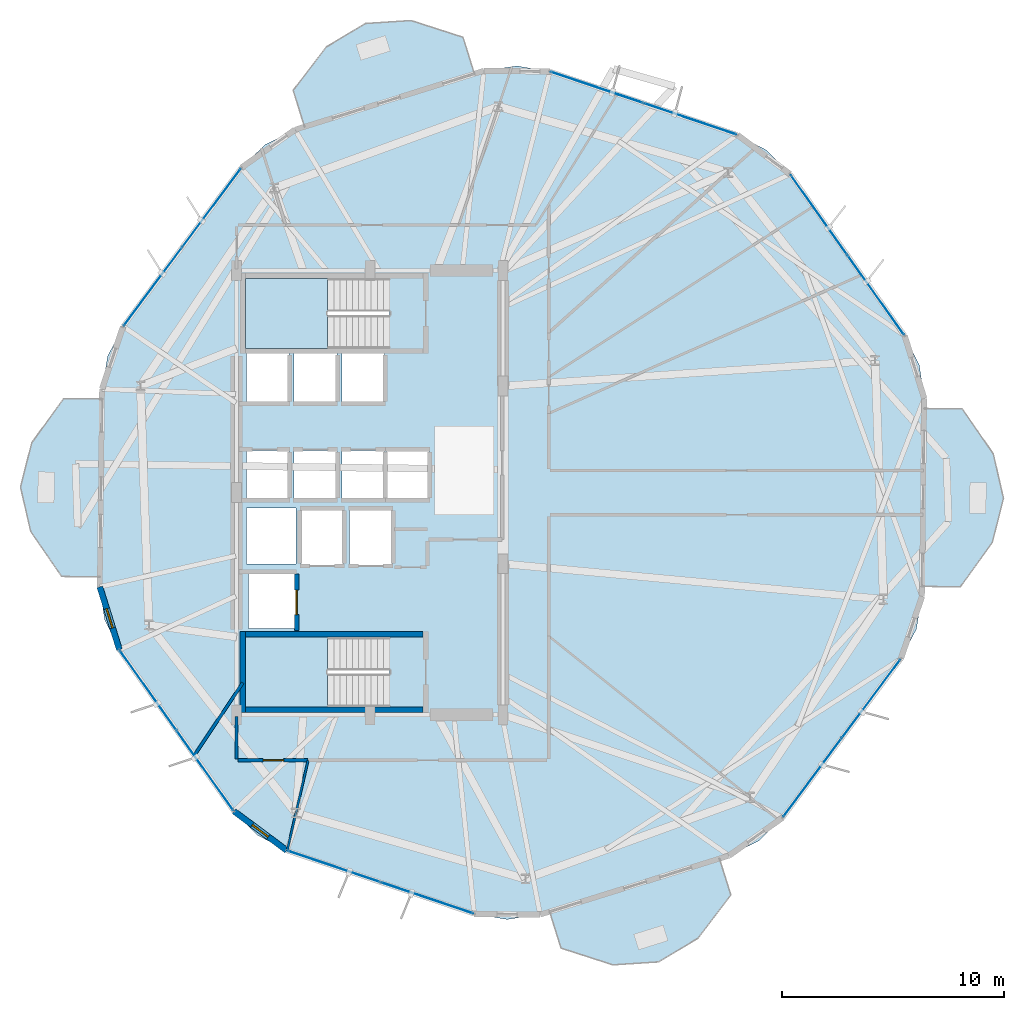
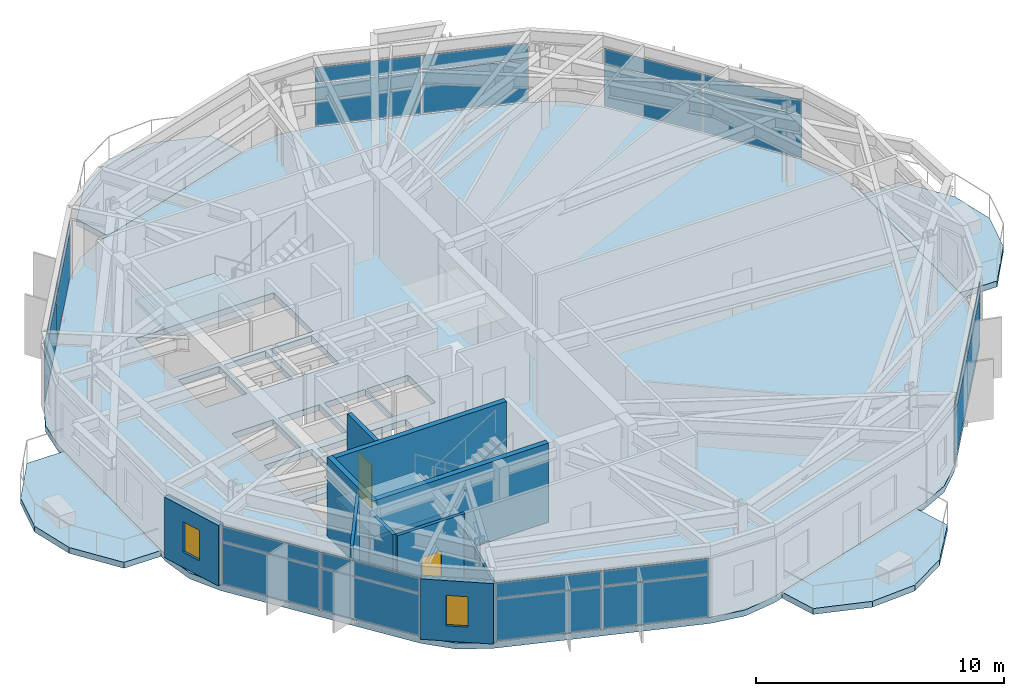
# One storey, part 21 of 27: 24 plates, 10 walls, 7 slabs, 2 doors, 2 windows, 4 openings, 8 elements without a shape of their own.
"""IFC4 building model written with IfcOpenShell, lengths in metres."""

from ifc_helpers import new_model, si_unit, direction, frame, frame_2d, origin, origin_2d, place, context, subcontext, project, spatial, polyline, rectangle, outline, extrude, material, layer, layer_set, type_object, element, fill, aggregate, save


model = new_model("IFC4")

# Units and contexts
model_context = context("Model", 3, precision=1e-05, world=origin(), true_north=direction((0.0, 1.0)))
body_context = subcontext(model_context, "Body", "Model", "MODEL_VIEW")
ifc_project = project(units=[si_unit("LENGTHUNIT", "METRE"), si_unit("AREAUNIT", "SQUARE_METRE"), si_unit("VOLUMEUNIT", "CUBIC_METRE"), si_unit("PLANEANGLEUNIT", "RADIAN"), si_unit("MASSUNIT", "GRAM", prefix="KILO")], contexts=[model_context])

# Site, building, storey
site_placement = place(None, origin())
site = spatial("IfcSite", under=ifc_project, at=site_placement, CompositionType="ELEMENT")
building_placement = place(site_placement, origin())
building = spatial("IfcBuilding", under=site, at=building_placement, Name="Soratama Intermodal Tower", CompositionType="ELEMENT")
storey_placement = place(building_placement, frame((0.0, 0.0, 95.199951171875)))
storey = spatial("IfcBuildingStorey", under=building, at=storey_placement, Name="L22", CompositionType="ELEMENT", Elevation=95.199951171875)

# Curtain wall, plates
ifc_material_1 = material(Name="Double-glazed aluminium curtain wall", Category="aluminium")
ifc_layer_1 = layer(ifc_material_1, 0.159912109375)
ifc_layer_set_1 = layer_set([ifc_layer_1], Name="Double-glazed aluminium curtain wall")
curtain_wall_type = type_object("IfcCurtainWallType", Name="CW-SYS-3", PredefinedType="NOTDEFINED", material=ifc_layer_set_1)
curtain_wall_1_placement = place(storey_placement, origin())
curtain_wall_1 = element("IfcCurtainWall", 1, at=curtain_wall_1_placement, inside=storey, type_object=curtain_wall_type, Name="L22 Faceted Curtain Wall F01", PredefinedType="NOTDEFINED")
ifc_material_2 = material(Name="Low-E laminated double glazing", Category="glass")
ifc_layer_2 = layer(ifc_material_2, 0.028076171875)
ifc_layer_set_2 = layer_set([ifc_layer_2], Name="Low-E laminated double glazing")
plate_type = type_object("IfcPlateType", Name="PT-CWP-3", PredefinedType="CURTAIN_PANEL", material=ifc_layer_set_2)
plate_1_placement = place(storey_placement, frame((61.377685546875, 33.9013671875, 0.06005859375), z_axis=(0.0, 0.0, 1.0), x_axis=(-0.578424023993, 0.815736261587, 0.0)))
plate_1 = element("IfcPlate", 2, at=plate_1_placement, type_object=plate_type, Name="CW-3 panel 1.1", PredefinedType="CURTAIN_PANEL", context=body_context, shape_type="SweptSolid", body=[
    extrude(rectangle(XDim=4.3642578125, YDim=0.028076171875, at=origin_2d()), origin(), (0.0, 0.0, 1.0), 2.06005859375),
])
plate_2_placement = place(storey_placement, frame((61.377685546875, 33.9013671875, 2.18017578125), z_axis=(0.0, 0.0, 1.0), x_axis=(-0.578424023993, 0.815736261587, 0.0)))
plate_2 = element("IfcPlate", 3, at=plate_2_placement, type_object=plate_type, Name="CW-3 panel 1.2", PredefinedType="CURTAIN_PANEL", context=body_context, shape_type="SweptSolid", body=[
    extrude(rectangle(XDim=4.3642578125, YDim=0.028076171875, at=origin_2d()), origin(), (0.0, 0.0, 1.0), 0.739013671875),
])
plate_3_placement = place(storey_placement, frame((58.818603515625, 37.510498046875, 0.06005859375), z_axis=(0.0, 0.0, 1.0), x_axis=(-0.578424023993, 0.815736261587, 0.0)))
plate_3 = element("IfcPlate", 4, at=plate_3_placement, type_object=plate_type, Name="CW-3 panel 2.1", PredefinedType="CURTAIN_PANEL", context=body_context, shape_type="SweptSolid", body=[
    extrude(rectangle(XDim=4.3642578125, YDim=0.028076171875, at=origin_2d()), origin(), (0.0, 0.0, 1.0), 2.06005859375),
])
plate_4_placement = place(storey_placement, frame((58.818603515625, 37.510498046875, 2.18017578125), z_axis=(0.0, 0.0, 1.0), x_axis=(-0.578424023993, 0.815736261587, 0.0)))
plate_4 = element("IfcPlate", 5, at=plate_4_placement, type_object=plate_type, Name="CW-3 panel 2.2", PredefinedType="CURTAIN_PANEL", context=body_context, shape_type="SweptSolid", body=[
    extrude(rectangle(XDim=4.3642578125, YDim=0.028076171875, at=origin_2d()), origin(), (0.0, 0.0, 1.0), 0.739013671875),
])
aggregate(curtain_wall_1, [plate_1, plate_2, plate_3, plate_4])

curtain_wall_2_placement = place(storey_placement, origin())
curtain_wall_2 = element("IfcCurtainWall", 6, at=curtain_wall_2_placement, inside=storey, type_object=curtain_wall_type, Name="L22 Faceted Curtain Wall F02", PredefinedType="NOTDEFINED")
plate_5_placement = place(storey_placement, frame((53.017822265625, 41.828125, 0.06005859375), z_axis=(0.0, 0.0, 1.0), x_axis=(-0.947433338621, 0.319953229189, 0.0)))
plate_5 = element("IfcPlate", 7, at=plate_5_placement, type_object=plate_type, Name="CW-3 panel 1.1", PredefinedType="CURTAIN_PANEL", context=body_context, shape_type="SweptSolid", body=[
    extrude(rectangle(XDim=4.3642578125, YDim=0.028076171875, at=origin_2d()), origin(), (0.0, 0.0, 1.0), 2.06005859375),
])
plate_6_placement = place(storey_placement, frame((53.017822265625, 41.828125, 2.18017578125), z_axis=(0.0, 0.0, 1.0), x_axis=(-0.947433338621, 0.319953229189, 0.0)))
plate_6 = element("IfcPlate", 8, at=plate_6_placement, type_object=plate_type, Name="CW-3 panel 1.2", PredefinedType="CURTAIN_PANEL", context=body_context, shape_type="SweptSolid", body=[
    extrude(rectangle(XDim=4.3642578125, YDim=0.028076171875, at=origin_2d()), origin(), (0.0, 0.0, 1.0), 0.739013671875),
])
plate_7_placement = place(storey_placement, frame((48.826171875, 43.24365234375, 0.06005859375), z_axis=(0.0, 0.0, 1.0), x_axis=(-0.947433338621, 0.319953229189, 0.0)))
plate_7 = element("IfcPlate", 9, at=plate_7_placement, type_object=plate_type, Name="CW-3 panel 2.1", PredefinedType="CURTAIN_PANEL", context=body_context, shape_type="SweptSolid", body=[
    extrude(rectangle(XDim=4.3642578125, YDim=0.028076171875, at=origin_2d()), origin(), (0.0, 0.0, 1.0), 2.06005859375),
])
plate_8_placement = place(storey_placement, frame((48.826171875, 43.24365234375, 2.18017578125), z_axis=(0.0, 0.0, 1.0), x_axis=(-0.947433338621, 0.319953229189, 0.0)))
plate_8 = element("IfcPlate", 10, at=plate_8_placement, type_object=plate_type, Name="CW-3 panel 2.2", PredefinedType="CURTAIN_PANEL", context=body_context, shape_type="SweptSolid", body=[
    extrude(rectangle(XDim=4.3642578125, YDim=0.028076171875, at=origin_2d()), origin(), (0.0, 0.0, 1.0), 0.739013671875),
])
aggregate(curtain_wall_2, [plate_5, plate_6, plate_7, plate_8])

curtain_wall_3_placement = place(storey_placement, origin())
curtain_wall_3 = element("IfcCurtainWall", 11, at=curtain_wall_3_placement, inside=storey, type_object=curtain_wall_type, Name="L22 Faceted Curtain Wall F04", PredefinedType="NOTDEFINED")
plate_9_placement = place(storey_placement, frame((31.47314453125, 37.825439453125, 0.06005859375), z_axis=(0.0, 0.0, 1.0), x_axis=(-0.597070242281, -0.802188958901, 0.0)))
plate_9 = element("IfcPlate", 12, at=plate_9_placement, type_object=plate_type, Name="CW-3 panel 1.1", PredefinedType="CURTAIN_PANEL", context=body_context, shape_type="SweptSolid", body=[
    extrude(rectangle(XDim=4.3642578125, YDim=0.028076171875, at=origin_2d()), origin(), (0.0, 0.0, 1.0), 2.06005859375),
])
plate_10_placement = place(storey_placement, frame((31.47314453125, 37.825439453125, 2.18017578125), z_axis=(0.0, 0.0, 1.0), x_axis=(-0.597070242281, -0.802188958901, 0.0)))
plate_10 = element("IfcPlate", 13, at=plate_10_placement, type_object=plate_type, Name="CW-3 panel 1.2", PredefinedType="CURTAIN_PANEL", context=body_context, shape_type="SweptSolid", body=[
    extrude(rectangle(XDim=4.3642578125, YDim=0.028076171875, at=origin_2d()), origin(), (0.0, 0.0, 1.0), 0.739013671875),
])
plate_11_placement = place(storey_placement, frame((28.83154296875, 34.2763671875, 0.06005859375), z_axis=(0.0, 0.0, 1.0), x_axis=(-0.597070242281, -0.802188958901, 0.0)))
plate_11 = element("IfcPlate", 14, at=plate_11_placement, type_object=plate_type, Name="CW-3 panel 2.1", PredefinedType="CURTAIN_PANEL", context=body_context, shape_type="SweptSolid", body=[
    extrude(rectangle(XDim=4.3642578125, YDim=0.028076171875, at=origin_2d()), origin(), (0.0, 0.0, 1.0), 2.06005859375),
])
plate_12_placement = place(storey_placement, frame((28.83154296875, 34.2763671875, 2.18017578125), z_axis=(0.0, 0.0, 1.0), x_axis=(-0.597070242281, -0.802188958901, 0.0)))
plate_12 = element("IfcPlate", 15, at=plate_12_placement, type_object=plate_type, Name="CW-3 panel 2.2", PredefinedType="CURTAIN_PANEL", context=body_context, shape_type="SweptSolid", body=[
    extrude(rectangle(XDim=4.3642578125, YDim=0.028076171875, at=origin_2d()), origin(), (0.0, 0.0, 1.0), 0.739013671875),
])
aggregate(curtain_wall_3, [plate_9, plate_10, plate_11, plate_12])

curtain_wall_4_placement = place(storey_placement, origin())
curtain_wall_4 = element("IfcCurtainWall", 16, at=curtain_wall_4_placement, inside=storey, type_object=curtain_wall_type, Name="L22 Faceted Curtain Wall F06", PredefinedType="NOTDEFINED")
plate_13_placement = place(storey_placement, frame((28.622314453125, 16.0986328125, 0.06005859375), z_axis=(0.0, 0.0, 1.0), x_axis=(0.578424023993, -0.815736261587, 0.0)))
plate_13 = element("IfcPlate", 17, at=plate_13_placement, type_object=plate_type, Name="CW-3 panel 1.1", PredefinedType="CURTAIN_PANEL", context=body_context, shape_type="SweptSolid", body=[
    extrude(rectangle(XDim=4.3642578125, YDim=0.028076171875, at=origin_2d()), origin(), (0.0, 0.0, 1.0), 2.06005859375),
])
plate_14_placement = place(storey_placement, frame((28.622314453125, 16.0986328125, 2.18017578125), z_axis=(0.0, 0.0, 1.0), x_axis=(0.578424023993, -0.815736261587, 0.0)))
plate_14 = element("IfcPlate", 18, at=plate_14_placement, type_object=plate_type, Name="CW-3 panel 1.2", PredefinedType="CURTAIN_PANEL", context=body_context, shape_type="SweptSolid", body=[
    extrude(rectangle(XDim=4.3642578125, YDim=0.028076171875, at=origin_2d()), origin(), (0.0, 0.0, 1.0), 0.739013671875),
])
plate_15_placement = place(storey_placement, frame((31.181396484375, 12.489501953125, 0.06005859375), z_axis=(0.0, 0.0, 1.0), x_axis=(0.578424023993, -0.815736261587, 0.0)))
plate_15 = element("IfcPlate", 19, at=plate_15_placement, type_object=plate_type, Name="CW-3 panel 2.1", PredefinedType="CURTAIN_PANEL", context=body_context, shape_type="SweptSolid", body=[
    extrude(rectangle(XDim=4.3642578125, YDim=0.028076171875, at=origin_2d()), origin(), (0.0, 0.0, 1.0), 2.06005859375),
])
plate_16_placement = place(storey_placement, frame((31.181396484375, 12.489501953125, 2.18017578125), z_axis=(0.0, 0.0, 1.0), x_axis=(0.578424023993, -0.815736261587, 0.0)))
plate_16 = element("IfcPlate", 20, at=plate_16_placement, type_object=plate_type, Name="CW-3 panel 2.2", PredefinedType="CURTAIN_PANEL", context=body_context, shape_type="SweptSolid", body=[
    extrude(rectangle(XDim=4.3642578125, YDim=0.028076171875, at=origin_2d()), origin(), (0.0, 0.0, 1.0), 0.739013671875),
])
aggregate(curtain_wall_4, [plate_13, plate_14, plate_15, plate_16])

curtain_wall_5_placement = place(storey_placement, origin())
curtain_wall_5 = element("IfcCurtainWall", 21, at=curtain_wall_5_placement, inside=storey, type_object=curtain_wall_type, Name="L22 Faceted Curtain Wall F07", PredefinedType="NOTDEFINED")
plate_17_placement = place(storey_placement, frame((36.982177734375, 8.171875, 0.06005859375), z_axis=(0.0, 0.0, 1.0), x_axis=(0.947433338621, -0.319953229189, 0.0)))
plate_17 = element("IfcPlate", 22, at=plate_17_placement, type_object=plate_type, Name="CW-3 panel 1.1", PredefinedType="CURTAIN_PANEL", context=body_context, shape_type="SweptSolid", body=[
    extrude(rectangle(XDim=4.3642578125, YDim=0.028076171875, at=origin_2d()), origin(), (0.0, 0.0, 1.0), 2.06005859375),
])
plate_18_placement = place(storey_placement, frame((36.982177734375, 8.171875, 2.18017578125), z_axis=(0.0, 0.0, 1.0), x_axis=(0.947433338621, -0.319953229189, 0.0)))
plate_18 = element("IfcPlate", 23, at=plate_18_placement, type_object=plate_type, Name="CW-3 panel 1.2", PredefinedType="CURTAIN_PANEL", context=body_context, shape_type="SweptSolid", body=[
    extrude(rectangle(XDim=4.3642578125, YDim=0.028076171875, at=origin_2d()), origin(), (0.0, 0.0, 1.0), 0.739013671875),
])
plate_19_placement = place(storey_placement, frame((41.173828125, 6.75634765625, 0.06005859375), z_axis=(0.0, 0.0, 1.0), x_axis=(0.947433338621, -0.319953229189, 0.0)))
plate_19 = element("IfcPlate", 24, at=plate_19_placement, type_object=plate_type, Name="CW-3 panel 2.1", PredefinedType="CURTAIN_PANEL", context=body_context, shape_type="SweptSolid", body=[
    extrude(rectangle(XDim=4.3642578125, YDim=0.028076171875, at=origin_2d()), origin(), (0.0, 0.0, 1.0), 2.06005859375),
])
plate_20_placement = place(storey_placement, frame((41.173828125, 6.75634765625, 2.18017578125), z_axis=(0.0, 0.0, 1.0), x_axis=(0.947433338621, -0.319953229189, 0.0)))
plate_20 = element("IfcPlate", 25, at=plate_20_placement, type_object=plate_type, Name="CW-3 panel 2.2", PredefinedType="CURTAIN_PANEL", context=body_context, shape_type="SweptSolid", body=[
    extrude(rectangle(XDim=4.3642578125, YDim=0.028076171875, at=origin_2d()), origin(), (0.0, 0.0, 1.0), 0.739013671875),
])
aggregate(curtain_wall_5, [plate_17, plate_18, plate_19, plate_20])

curtain_wall_6_placement = place(storey_placement, origin())
curtain_wall_6 = element("IfcCurtainWall", 26, at=curtain_wall_6_placement, inside=storey, type_object=curtain_wall_type, Name="L22 Faceted Curtain Wall F09", PredefinedType="NOTDEFINED")
plate_21_placement = place(storey_placement, frame((58.52685546875, 12.174560546875, 0.06005859375), z_axis=(0.0, 0.0, 1.0), x_axis=(0.597070242281, 0.802188958901, 0.0)))
plate_21 = element("IfcPlate", 27, at=plate_21_placement, type_object=plate_type, Name="CW-3 panel 1.1", PredefinedType="CURTAIN_PANEL", context=body_context, shape_type="SweptSolid", body=[
    extrude(rectangle(XDim=4.3642578125, YDim=0.028076171875, at=origin_2d()), origin(), (0.0, 0.0, 1.0), 2.06005859375),
])
plate_22_placement = place(storey_placement, frame((58.52685546875, 12.174560546875, 2.18017578125), z_axis=(0.0, 0.0, 1.0), x_axis=(0.597070242281, 0.802188958901, 0.0)))
plate_22 = element("IfcPlate", 28, at=plate_22_placement, type_object=plate_type, Name="CW-3 panel 1.2", PredefinedType="CURTAIN_PANEL", context=body_context, shape_type="SweptSolid", body=[
    extrude(rectangle(XDim=4.3642578125, YDim=0.028076171875, at=origin_2d()), origin(), (0.0, 0.0, 1.0), 0.739013671875),
])
plate_23_placement = place(storey_placement, frame((61.16845703125, 15.7236328125, 0.06005859375), z_axis=(0.0, 0.0, 1.0), x_axis=(0.597070242281, 0.802188958901, 0.0)))
plate_23 = element("IfcPlate", 29, at=plate_23_placement, type_object=plate_type, Name="CW-3 panel 2.1", PredefinedType="CURTAIN_PANEL", context=body_context, shape_type="SweptSolid", body=[
    extrude(rectangle(XDim=4.3642578125, YDim=0.028076171875, at=origin_2d()), origin(), (0.0, 0.0, 1.0), 2.06005859375),
])
plate_24_placement = place(storey_placement, frame((61.16845703125, 15.7236328125, 2.18017578125), z_axis=(0.0, 0.0, 1.0), x_axis=(0.597070242281, 0.802188958901, 0.0)))
plate_24 = element("IfcPlate", 30, at=plate_24_placement, type_object=plate_type, Name="CW-3 panel 2.2", PredefinedType="CURTAIN_PANEL", context=body_context, shape_type="SweptSolid", body=[
    extrude(rectangle(XDim=4.3642578125, YDim=0.028076171875, at=origin_2d()), origin(), (0.0, 0.0, 1.0), 0.739013671875),
])
aggregate(curtain_wall_6, [plate_21, plate_22, plate_23, plate_24])

# Slabs
ifc_material_3 = material(Name="Concrete f'c 42 MPa", Category="concrete")
ifc_layer_3 = layer(ifc_material_3, 0.2900390625)
ifc_layer_set_3 = layer_set([ifc_layer_3], Name="Concrete f'c 42 MPa")
slab_type_1 = type_object("IfcSlabType", Name="SL-EXT-BAL2", PredefinedType="FLOOR", material=ifc_layer_set_3)
slab_1_placement = place(storey_placement, frame((0.0, 0.0, -0.2900390625)))
element("IfcSlab", 31, at=slab_1_placement, inside=storey, type_object=slab_type_1, Name="L22 Planted Balcony East 1", PredefinedType="FLOOR", context=body_context, shape_type="SweptSolid", body=[
    extrude(outline(polyline([(63.46142578125, 20.78271484375), (63.5537109375, 28.790771484375), (65.273681640625, 28.77099609375), (66.66552734375, 26.752685546875), (67.12744140625, 24.7451171875), (66.619384765625, 22.748779296875), (65.181396484375, 20.762939453125), (63.46142578125, 20.78271484375)])), origin(), (0.0, 0.0, 1.0), 0.2900390625),
])
slab_2_placement = place(storey_placement, frame((0.0, 0.0, -0.2900390625)))
element("IfcSlab", 32, at=slab_2_placement, inside=storey, type_object=slab_type_1, Name="L22 Planted Balcony North 2", PredefinedType="FLOOR", context=body_context, shape_type="SweptSolid", body=[
    extrude(outline(polyline([(43.305908203125, 43.861083984375), (35.661376953125, 41.47412109375), (35.148681640625, 43.115966796875), (36.63818359375, 45.063720703125), (38.40478515625, 46.123046875), (40.460205078125, 46.257080078125), (42.793212890625, 45.5029296875), (43.305908203125, 43.861083984375)])), origin(), (0.0, 0.0, 1.0), 0.2900390625),
])
slab_3_placement = place(storey_placement, frame((0.0, 0.0, -0.2900390625)))
element("IfcSlab", 33, at=slab_3_placement, inside=storey, type_object=slab_type_1, Name="L22 Planted Balcony West 3", PredefinedType="FLOOR", context=body_context, shape_type="SweptSolid", body=[
    extrude(outline(polyline([(26.53857421875, 29.21728515625), (26.4462890625, 21.209228515625), (24.726318359375, 21.22900390625), (23.33447265625, 23.247314453125), (22.87255859375, 25.2548828125), (23.380615234375, 27.251220703125), (24.818603515625, 29.237060546875), (26.53857421875, 29.21728515625)])), origin(), (0.0, 0.0, 1.0), 0.2900390625),
])
slab_4_placement = place(storey_placement, frame((0.0, 0.0, -0.2900390625)))
element("IfcSlab", 34, at=slab_4_placement, inside=storey, type_object=slab_type_1, Name="L22 Planted Balcony South 4", PredefinedType="FLOOR", context=body_context, shape_type="SweptSolid", body=[
    extrude(outline(polyline([(46.694091796875, 6.138916015625), (54.338623046875, 8.52587890625), (54.851318359375, 6.884033203125), (53.36181640625, 4.936279296875), (51.59521484375, 3.876953125), (49.539794921875, 3.742919921875), (47.206787109375, 4.4970703125), (46.694091796875, 6.138916015625)])), origin(), (0.0, 0.0, 1.0), 0.2900390625),
])

# Stair, slab
ifc_material_4 = material(Name="Concrete f'c 42 MPa", Category="concrete")
stair_type = type_object("IfcStairType", Name="ST-CORE-DOGLEG", PredefinedType="HALF_TURN_STAIR", material=ifc_material_4)
stair_1_placement = place(storey_placement, origin())
stair_1 = element("IfcStair", 35, at=stair_1_placement, inside=storey, type_object=stair_type, Name="L22 ST-1", PredefinedType="HALF_TURN_STAIR")
ifc_material_5 = material(Name="Concrete f'c 42 MPa", Category="concrete")
ifc_layer_4 = layer(ifc_material_5, 0.219970703125)
ifc_layer_set_4 = layer_set([ifc_layer_4], Name="Concrete f'c 42 MPa")
slab_type_2 = type_object("IfcSlabType", Name="SL-STAIR-LAND", PredefinedType="LANDING", material=ifc_layer_set_4)
slab_5_placement = place(storey_placement, frame((0.0, 0.0, 1.75)))
slab_5 = element("IfcSlab", 36, at=slab_5_placement, type_object=slab_type_2, Name="ST-1 landing 1", PredefinedType="LANDING", context=body_context, shape_type="SweptSolid", body=[
    extrude(outline(polyline([(36.699951171875, 18.5), (33.0, 18.5), (33.0, 15.35009765625), (36.699951171875, 15.35009765625), (36.699951171875, 18.5)])), origin(), (0.0, 0.0, 1.0), 0.199951171875),
])
aggregate(stair_1, [slab_5])

stair_2_placement = place(storey_placement, origin())
stair_2 = element("IfcStair", 37, at=stair_2_placement, inside=storey, type_object=stair_type, Name="L22 ST-2", PredefinedType="HALF_TURN_STAIR")
slab_6_placement = place(storey_placement, frame((0.0, 0.0, 1.75)))
slab_6 = element("IfcSlab", 38, at=slab_6_placement, type_object=slab_type_2, Name="ST-2 landing 1", PredefinedType="LANDING", context=body_context, shape_type="SweptSolid", body=[
    extrude(outline(polyline([(36.699951171875, 34.64990234375), (33.0, 34.64990234375), (33.0, 31.5), (36.699951171875, 31.5), (36.699951171875, 34.64990234375)])), origin(), (0.0, 0.0, 1.0), 0.199951171875),
])
aggregate(stair_2, [slab_6])

# Slab
ifc_material_6 = material(Name="Concrete f'c 42 MPa", Category="concrete")
ifc_layer_5 = layer(ifc_material_6, 0.280029296875)
ifc_layer_set_5 = layer_set([ifc_layer_5], Name="Concrete f'c 42 MPa")
slab_type_3 = type_object("IfcSlabType", Name="SL-TWR-280", PredefinedType="FLOOR", material=ifc_layer_set_5)
slab_7_placement = place(storey_placement, frame((0.0, 0.0, -0.300048828125)))
element("IfcSlab", 39, at=slab_7_placement, inside=storey, type_object=slab_type_3, Name="L22 Structural Floor Slab", PredefinedType="FLOOR", context=body_context, shape_type="SweptSolid", body=[
    extrude(outline(polyline([(63.558837890625, 29.24072265625), (63.341064453125, 30.726806640625), (62.6748046875, 32.072509765625), (57.521728515625, 39.339599609375), (56.47216796875, 40.41357421875), (55.14208984375, 41.110595703125), (46.701904296875, 43.9609375), (45.22119140625, 44.212890625), (43.7353515625, 43.9951171875), (35.231689453125, 41.340087890625), (33.885986328125, 40.673583984375), (32.81201171875, 39.6240234375), (27.492919921875, 32.477783203125), (26.795654296875, 31.147705078125), (26.543701171875, 29.667236328125), (26.441162109375, 20.75927734375), (26.658935546875, 19.273193359375), (27.3251953125, 17.927490234375), (32.478271484375, 10.660400390625), (33.52783203125, 9.58642578125), (34.85791015625, 8.889404296875), (43.298095703125, 6.0390625), (44.77880859375, 5.787109375), (46.2646484375, 6.0048828125), (54.768310546875, 8.659912109375), (56.114013671875, 9.326416015625), (57.18798828125, 10.3759765625), (62.507080078125, 17.522216796875), (63.204345703125, 18.852294921875), (63.456298828125, 20.332763671875), (63.558837890625, 29.24072265625)]), holes=[polyline([(33.0, 18.5), (33.0, 15.35009765625), (39.47509765625, 15.35009765625), (39.47509765625, 18.5), (33.0, 18.5)]), polyline([(35.260009765625, 18.889892578125), (35.260009765625, 21.409912109375), (33.139892578125, 21.409912109375), (33.139892578125, 18.889892578125), (35.260009765625, 18.889892578125)]), polyline([(33.050048828125, 21.800048828125), (35.280029296875, 21.800048828125), (35.280029296875, 24.320068359375), (33.050048828125, 24.320068359375), (33.050048828125, 21.800048828125)]), polyline([(34.9599609375, 26.909912109375), (33.0400390625, 26.909912109375), (33.0400390625, 24.68994140625), (34.9599609375, 24.68994140625), (34.9599609375, 26.909912109375)]), polyline([(37.110107421875, 24.68994140625), (37.110107421875, 26.909912109375), (35.18994140625, 26.909912109375), (35.18994140625, 24.68994140625), (37.110107421875, 24.68994140625)]), polyline([(34.9599609375, 29.0400390625), (34.9599609375, 31.260009765625), (33.0400390625, 31.260009765625), (33.0400390625, 29.0400390625), (34.9599609375, 29.0400390625)]), polyline([(37.110107421875, 31.260009765625), (35.18994140625, 31.260009765625), (35.18994140625, 29.0400390625), (37.110107421875, 29.0400390625), (37.110107421875, 31.260009765625)]), polyline([(37.409912109375, 21.739990234375), (37.409912109375, 24.260009765625), (35.489990234375, 24.260009765625), (35.489990234375, 21.739990234375), (37.409912109375, 21.739990234375)]), polyline([(39.610107421875, 21.739990234375), (39.610107421875, 24.260009765625), (37.68994140625, 24.260009765625), (37.68994140625, 21.739990234375), (39.610107421875, 21.739990234375)]), polyline([(39.260009765625, 24.68994140625), (39.260009765625, 26.909912109375), (37.340087890625, 26.909912109375), (37.340087890625, 24.68994140625), (39.260009765625, 24.68994140625)]), polyline([(41.260009765625, 24.68994140625), (41.260009765625, 26.909912109375), (39.340087890625, 26.909912109375), (39.340087890625, 24.68994140625), (41.260009765625, 24.68994140625)]), polyline([(39.260009765625, 29.0400390625), (39.260009765625, 31.260009765625), (37.340087890625, 31.260009765625), (37.340087890625, 29.0400390625), (39.260009765625, 29.0400390625)]), polyline([(39.47509765625, 34.64990234375), (33.0, 34.64990234375), (33.0, 31.5), (39.47509765625, 31.5), (39.47509765625, 34.64990234375)])]), origin(), (0.0, 0.0, 1.0), 0.300048828125),
])

# Wall, opening, window
ifc_material_7 = material(Name="Concrete f'c 42 MPa", Category="concrete")
ifc_layer_6 = layer(ifc_material_7, 0.27001953125)
ifc_layer_set_6 = layer_set([ifc_layer_6], Name="Concrete f'c 42 MPa")
wall_type_1 = type_object("IfcWallType", Name="EW-CRN-270", PredefinedType="SOLIDWALL", material=ifc_layer_set_6)
wall_1_placement = place(storey_placement, frame((26.441162109375, 20.75927734375, 0.0), z_axis=(0.0, 0.0, 1.0), x_axis=(0.297998508568, -0.954566335511, 0.0)))
wall_1 = element("IfcWall", 40, at=wall_1_placement, inside=storey, type_object=wall_type_1, Name="L22 Corner Closure Wall 05", PredefinedType="SOLIDWALL", context=body_context, shape_type="SweptSolid", body=[
    extrude(rectangle(XDim=2.966552734375, YDim=0.27001953125, at=frame_2d((1.4833984375, 0.0))), origin(), (0.0, 0.0, 1.0), 2.97900390625),
])
opening_1_placement = place(wall_1_placement, frame((1.033203125, 0.0, 0.75)))
opening_1 = element("IfcOpeningElement", 41, at=opening_1_placement, cuts=wall_1, Name="Opening WN-6", PredefinedType="OPENING", context=body_context, shape_type="SweptSolid", body=[
    extrude(rectangle(XDim=0.89990234375, YDim=1.5, at=frame_2d((0.449951171875, 0.75))), frame((0.0, 0.14501953125, 0.0), z_axis=(0.0, -1.0, 0.0), x_axis=(1.0, 0.0, 0.0)), (0.0, 0.0, 1.0), 0.2900390625),
])
ifc_material_8 = material(Name="Double-glazed aluminium window", Category="aluminium")
window_type = type_object("IfcWindowType", Name="WN-FAC-900", PartitioningType="SINGLE_PANEL", PredefinedType="WINDOW", material=ifc_material_8)
window_1_placement = place(opening_1_placement, origin())
window_1 = element("IfcWindow", 42, at=window_1_placement, inside=storey, type_object=window_type, Name="L22 Corner Window 05", OverallHeight=1.5, OverallWidth=0.89990234375, PartitioningType="SINGLE_PANEL", PredefinedType="WINDOW", context=body_context, shape_type="SweptSolid", body=[
    extrude(rectangle(XDim=0.89990234375, YDim=1.5, at=frame_2d((0.449951171875, 0.75))), frame((0.0, 0.030029296875, 0.0), z_axis=(0.0, -1.0, 0.0), x_axis=(1.0, 0.0, 0.0)), (0.0, 0.0, 1.0), 0.06005859375),
])
fill(opening_1, window_1)

wall_2_placement = place(storey_placement, frame((32.478271484375, 10.660400390625, 0.0), z_axis=(0.0, 0.0, 1.0), x_axis=(0.802216720069, -0.597032942175, 0.0)))
wall_2 = element("IfcWall", 43, at=wall_2_placement, inside=storey, type_object=wall_type_1, Name="L22 Corner Closure Wall 06", PredefinedType="SOLIDWALL", context=body_context, shape_type="SweptSolid", body=[
    extrude(rectangle(XDim=2.96630859375, YDim=0.27001953125, at=frame_2d((1.483154296875, 0.0))), origin(), (0.0, 0.0, 1.0), 2.97900390625),
])
opening_2_placement = place(wall_2_placement, frame((1.033203125, 0.0, 0.75)))
opening_2 = element("IfcOpeningElement", 44, at=opening_2_placement, cuts=wall_2, Name="Opening WN-6", PredefinedType="OPENING", context=body_context, shape_type="SweptSolid", body=[
    extrude(rectangle(XDim=0.89990234375, YDim=1.5, at=frame_2d((0.449951171875, 0.75))), frame((0.0, 0.14501953125, 0.0), z_axis=(0.0, -1.0, 0.0), x_axis=(1.0, 0.0, 0.0)), (0.0, 0.0, 1.0), 0.2900390625),
])
window_2_placement = place(opening_2_placement, origin())
window_2 = element("IfcWindow", 45, at=window_2_placement, inside=storey, type_object=window_type, Name="L22 Corner Window 06", OverallHeight=1.5, OverallWidth=0.89990234375, PartitioningType="SINGLE_PANEL", PredefinedType="WINDOW", context=body_context, shape_type="SweptSolid", body=[
    extrude(rectangle(XDim=0.89990234375, YDim=1.5, at=frame_2d((0.449951171875, 0.75))), frame((0.0, 0.030029296875, 0.0), z_axis=(0.0, -1.0, 0.0), x_axis=(1.0, 0.0, 0.0)), (0.0, 0.0, 1.0), 0.06005859375),
])
fill(opening_2, window_2)

# Wall, opening, door
ifc_material_9 = material(Name="Fire-rated gypsum stud partition", Category="concrete")
ifc_layer_7 = layer(ifc_material_9, 0.14990234375)
ifc_layer_set_7 = layer_set([ifc_layer_7], Name="Fire-rated gypsum stud partition")
wall_type_2 = type_object("IfcWallType", Name="IW-PART-R150", PredefinedType="PARTITIONING", material=ifc_layer_set_7)
wall_3_placement = place(storey_placement, frame((35.819091796875, 12.949951171875, 0.0), z_axis=(0.0, 0.0, 1.0), x_axis=(-1.0, 0.0, 0.0)))
wall_3 = element("IfcWall", 46, at=wall_3_placement, inside=storey, type_object=wall_type_2, Name="L22 Partition W-L22-TP020", PredefinedType="PARTITIONING", context=body_context, shape_type="SweptSolid", body=[
    extrude(rectangle(XDim=3.149169921875, YDim=0.14990234375, at=frame_2d((1.57470703125, 0.0))), origin(), (0.0, 0.0, 1.0), 3.60009765625),
])
opening_3_placement = place(wall_3_placement, frame((1.10009765625, 0.0, 0.0)))
opening_3 = element("IfcOpeningElement", 47, at=opening_3_placement, cuts=wall_3, Name="Opening ID-6", PredefinedType="OPENING", context=body_context, shape_type="SweptSolid", body=[
    extrude(rectangle(XDim=0.919921875, YDim=2.1201171875, at=frame_2d((0.4599609375, 1.06005859375))), frame((0.0, 0.0849609375, 0.0), z_axis=(0.0, -1.0, 0.0), x_axis=(1.0, 0.0, 0.0)), (0.0, 0.0, 1.0), 0.169921875),
])
ifc_material_10 = material(Name="Solid hardwood acoustic door", Category="wood")
door_type_1 = type_object("IfcDoorType", Name="DR-ROOM-920", OperationType="NOTDEFINED", PredefinedType="DOOR", material=ifc_material_10)
door_1_placement = place(opening_3_placement, origin())
door_1 = element("IfcDoor", 48, at=door_1_placement, inside=storey, type_object=door_type_1, Name="L22 Door D-L22-TP009", OperationType="SINGLE_SWING_RIGHT", OverallHeight=2.1201171875, OverallWidth=0.919921875, PredefinedType="DOOR", context=body_context, shape_type="SweptSolid", body=[
    extrude(rectangle(XDim=0.919921875, YDim=2.1201171875, at=frame_2d((0.4599609375, 1.06005859375))), frame((0.0, 0.02490234375, 0.0), z_axis=(0.0, -1.0, 0.0), x_axis=(1.0, 0.0, 0.0)), (0.0, 0.0, 1.0), 0.050048828125),
])
fill(opening_3, door_1)

# Walls
wall_4_placement = place(storey_placement, frame((32.60009765625, 13.02001953125, 0.0), z_axis=(0.0, 0.0, 1.0), x_axis=(0.0, 1.0, 0.0)))
element("IfcWall", 49, at=wall_4_placement, inside=storey, type_object=wall_type_2, Name="L22 Partition W-L22-TP024", PredefinedType="PARTITIONING", context=body_context, shape_type="SweptSolid", body=[
    extrude(rectangle(XDim=1.909912109375, YDim=0.14990234375, at=frame_2d((0.955078125, 0.0))), origin(), (0.0, 0.0, 1.0), 3.60009765625),
])
ifc_material_11 = material(Name="Fire-rated gypsum stud partition", Category="concrete")
ifc_layer_8 = layer(ifc_material_11, 0.10009765625)
ifc_layer_set_8 = layer_set([ifc_layer_8], Name="Fire-rated gypsum stud partition")
wall_type_3 = type_object("IfcWallType", Name="IW-PART-S100", PredefinedType="PARTITIONING", material=ifc_layer_set_8)
wall_5_placement = place(storey_placement, frame((35.819091796875, 12.949951171875, 0.0), z_axis=(0.0, 0.0, 1.0), x_axis=(-0.225188335262, -0.974315253736, 0.0)))
element("IfcWall", 50, at=wall_5_placement, inside=storey, type_object=wall_type_3, Name="L22 Partition W-L22-TP015", PredefinedType="PARTITIONING", context=body_context, shape_type="SweptSolid", body=[
    extrude(rectangle(XDim=4.175048828125, YDim=0.10009765625, at=frame_2d((2.08740234375, 0.0))), origin(), (0.0, 0.0, 1.0), 2.89501953125),
])
ifc_material_12 = material(Name="Fire-rated gypsum stud partition", Category="concrete")
ifc_layer_9 = layer(ifc_material_12, 0.139892578125)
ifc_layer_set_9 = layer_set([ifc_layer_9], Name="Fire-rated gypsum stud partition")
wall_type_4 = type_object("IfcWallType", Name="IW-PART-S140", PredefinedType="PARTITIONING", material=ifc_layer_set_9)
wall_6_placement = place(storey_placement, frame((32.8798828125, 16.43994140625, 0.0), z_axis=(0.0, 0.0, 1.0), x_axis=(-0.555574599571, -0.83146669465, 0.0)))
element("IfcWall", 51, at=wall_6_placement, inside=storey, type_object=wall_type_4, Name="L22 Partition W-L22-TP016", PredefinedType="PARTITIONING", context=body_context, shape_type="SweptSolid", body=[
    extrude(rectangle(XDim=3.928955078125, YDim=0.139892578125, at=frame_2d((1.96435546875, 0.0))), origin(), (0.0, 0.0, 1.0), 3.60009765625),
])

# Wall, opening, door
ifc_material_13 = material(Name="Concrete f'c 42 MPa", Category="concrete")
ifc_layer_10 = layer(ifc_material_13, 0.199951171875)
ifc_layer_set_10 = layer_set([ifc_layer_10], Name="Concrete f'c 42 MPa")
wall_type_5 = type_object("IfcWallType", Name="IW-SHAFT-200", PredefinedType="SOLIDWALL", material=ifc_layer_set_10)
wall_7_placement = place(storey_placement, frame((35.300048828125, 18.7900390625, 0.0), z_axis=(0.0, 0.0, 1.0), x_axis=(0.0, 1.0, 0.0)))
wall_7 = element("IfcWall", 52, at=wall_7_placement, inside=storey, type_object=wall_type_5, Name="L22 SVL-1 Hoistway Wall E", PredefinedType="SOLIDWALL", context=body_context, shape_type="SweptSolid", body=[
    extrude(rectangle(XDim=2.550048828125, YDim=0.199951171875, at=frame_2d((1.27490234375, 0.0))), origin(), (0.0, 0.0, 1.0), 3.60009765625),
])
opening_4_placement = place(wall_7_placement, frame((0.72509765625, 0.0, 0.0)))
opening_4 = element("IfcOpeningElement", 53, at=opening_4_placement, cuts=wall_7, Name="Opening LD-1", PredefinedType="OPENING", context=body_context, shape_type="SweptSolid", body=[
    extrude(rectangle(XDim=1.10009765625, YDim=2.14990234375, at=frame_2d((0.550048828125, 1.074951171875))), frame((0.0, 0.10986328125, 0.0), z_axis=(0.0, -1.0, 0.0), x_axis=(1.0, 0.0, 0.0)), (0.0, 0.0, 1.0), 0.219970703125),
])
ifc_material_14 = material(Name="Steel fire door", Category="steel")
door_type_2 = type_object("IfcDoorType", Name="DR-LIFT-SLIDE", OperationType="NOTDEFINED", PredefinedType="DOOR", material=ifc_material_14)
door_2_placement = place(opening_4_placement, origin())
door_2 = element("IfcDoor", 54, at=door_2_placement, inside=storey, type_object=door_type_2, Name="L22 SVL-1 Sliding Landing Door", OperationType="SLIDING_TO_LEFT", OverallHeight=2.14990234375, OverallWidth=1.10009765625, PredefinedType="DOOR", context=body_context, shape_type="SweptSolid", body=[
    extrude(rectangle(XDim=1.10009765625, YDim=2.14990234375, at=frame_2d((0.550048828125, 1.074951171875))), frame((0.0, 0.02490234375, 0.0), z_axis=(0.0, -1.0, 0.0), x_axis=(1.0, 0.0, 0.0)), (0.0, 0.0, 1.0), 0.050048828125),
])
fill(opening_4, door_2)

# Walls
ifc_material_15 = material(Name="Concrete f'c 56 MPa", Category="concrete")
ifc_layer_11 = layer(ifc_material_15, 0.239990234375)
ifc_layer_set_11 = layer_set([ifc_layer_11], Name="Concrete f'c 56 MPa")
wall_type_6 = type_object("IfcWallType", Name="SW-STAIR-240", PredefinedType="SHEAR", material=ifc_layer_set_11)
wall_8_placement = place(storey_placement, frame((32.8798828125, 15.110107421875, 0.0), z_axis=(0.0, 0.0, 1.0), x_axis=(0.0, 1.0, 0.0)))
element("IfcWall", 55, at=wall_8_placement, inside=storey, type_object=wall_type_6, Name="L22 ST-1 Shaft Shear Wall W", PredefinedType="SHEAR", context=body_context, shape_type="SweptSolid", body=[
    extrude(rectangle(XDim=3.6298828125, YDim=0.239990234375, at=frame_2d((1.81494140625, 0.0))), origin(), (0.0, 0.0, 1.0), 3.900146484375),
])
for number, where, z_axis, x_axis, name in (
    (56, (33.0, 15.22998046875, 0.0), (0.0, 0.0, 1.0), (1.0, 0.0, 0.0), "L22 ST-1 Shaft Shear Wall S"),
    (57, (33.0, 18.6201171875, 0.0), (0.0, 0.0, 1.0), (1.0, 0.0, 0.0), "L22 ST-1 Shaft Shear Wall N"),
):
    element("IfcWall", number, at=place(storey_placement, frame(where, z_axis=z_axis, x_axis=x_axis)), inside=storey, type_object=wall_type_6, Name=name, PredefinedType="SHEAR", context=body_context, shape_type="SweptSolid", body=[
        extrude(rectangle(XDim=8.0, YDim=0.239990234375, at=frame_2d((4.0, 0.0))), origin(), (0.0, 0.0, 1.0), 3.900146484375),
    ])

save(model, "model.ifc")
